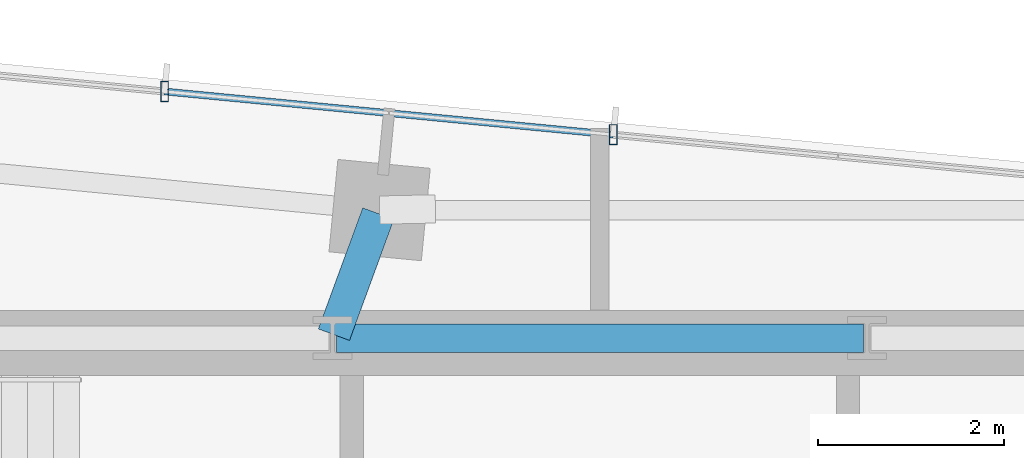
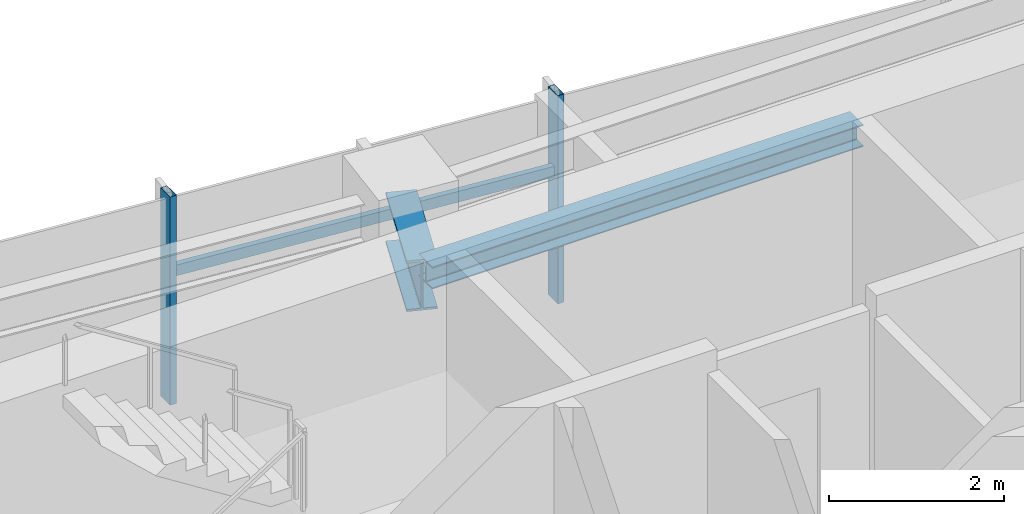
# One storey, part 8 of 20: 3 members, 2 beams, 1 element without a shape of its own.
"""IFC4 building model written with IfcOpenShell, lengths in metres."""

from ifc_helpers import new_model, si_unit, direction, frame, origin, origin_2d, place, context, subcontext, project, spatial, hollow_rectangle, i_section, extrude, source, transform, mapped, material, material_profile, profile_set, type_object, type_shapes, element, aggregate, save


model = new_model("IFC4")

# Units and contexts
model_context = context("Model", 3, precision=1e-05, world=origin(), true_north=direction((0.0, 1.0)))
body_context = subcontext(model_context, "Body", "Model", "MODEL_VIEW")
ifc_project = project(units=[si_unit("LENGTHUNIT", "METRE"), si_unit("AREAUNIT", "SQUARE_METRE"), si_unit("VOLUMEUNIT", "CUBIC_METRE"), si_unit("PLANEANGLEUNIT", "RADIAN"), si_unit("MASSUNIT", "GRAM", prefix="KILO")], contexts=[model_context])

# Site, building, storey
site_placement = place(None, origin())
site = spatial("IfcSite", under=ifc_project, at=site_placement, CompositionType="ELEMENT")
building_placement = place(site_placement, origin())
building = spatial("IfcBuilding", under=site, at=building_placement, Name="Astriad Promenade Condominiums", CompositionType="ELEMENT")
storey_placement = place(building_placement, frame((0.0, 0.0, 159.800048828125)))
storey = spatial("IfcBuildingStorey", under=building, at=storey_placement, Name="L46", CompositionType="ELEMENT", Elevation=159.800048828125)

# Beams
ifc_material_1 = material(Name="Steel ASTM A992 Grade 50", Category="steel")
ifc_material_profile_1 = material_profile(ifc_material_1, i_section(OverallWidth=0.3046875, OverallDepth=0.307861328125, WebThickness=0.010009765625, FlangeThickness=0.015380859375, FilletRadius=0.01513671875, at=origin_2d()), Name="W12X65")
ifc_profile_set_1 = profile_set([ifc_material_profile_1], Name="Steel ASTM A992 Grade 50")
beam_type_1 = type_object("IfcBeamType", Name="STEEL OPENING LINTEL W12X65", PredefinedType="LINTEL", material=ifc_profile_set_1)
shared_shape_1 = source(origin(), body_context, "Body", "SweptSolid", [
    extrude(i_section(OverallWidth=0.3046875, OverallDepth=0.307861328125, WebThickness=0.010009765625, FlangeThickness=0.015380859375, FilletRadius=0.01513671875, at=origin_2d()), origin(), (0.0, 0.0, 1.0), 5.68017578125),
])
type_shapes(beam_type_1, [shared_shape_1])
beam_1_placement = place(storey_placement, frame((33.159912109375, 24.0, 2.74609375), z_axis=(1.0, 0.0, 0.0), x_axis=(0.0, 1.0, 0.0)))
element("IfcBeam", 1, at=beam_1_placement, inside=storey, type_object=beam_type_1, Name="Core Ring Beam CG-N2-L46", PredefinedType="LINTEL", context=body_context, shape_type="MappedRepresentation", body=[
    mapped(shared_shape_1, transform((0.0, 0.0, 0.0), scale=1.0)),
])
ifc_material_profile_2 = material_profile(ifc_material_1, i_section(OverallWidth=0.35791015625, OverallDepth=0.706298828125, WebThickness=0.018310546875, FlangeThickness=0.0302734375, FilletRadius=0.020263671875, at=origin_2d()), Name="W27X178")
ifc_profile_set_2 = profile_set([ifc_material_profile_2], Name="Steel ASTM A992 Grade 50")
beam_type_2 = type_object("IfcBeamType", Name="STEEL FLOOR GIRDER W27X178", PredefinedType="BEAM", material=ifc_profile_set_2)
shared_shape_2 = source(origin(), body_context, "Body", "SweptSolid", [
    extrude(i_section(OverallWidth=0.35791015625, OverallDepth=0.706298828125, WebThickness=0.018310546875, FlangeThickness=0.0302734375, FilletRadius=0.020263671875, at=origin_2d()), origin(), (0.0, 0.0, 1.0), 1.39013671875),
])
type_shapes(beam_type_2, [shared_shape_2])
beam_2_placement = place(storey_placement, frame((33.6123046875, 25.3427734375, 2.546630859375), z_axis=(-0.344223686797, -0.938887668173, 0.0), x_axis=(0.938887668173, -0.344223686797, 0.0)))
element("IfcBeam", 2, at=beam_2_placement, inside=storey, type_object=beam_type_2, Name="Primary Floor Girder PG-NC-L46", PredefinedType="BEAM", context=body_context, shape_type="MappedRepresentation", body=[
    mapped(shared_shape_2, transform((0.0, 0.0, 0.0), scale=1.0)),
])

# Curtain wall, members
ifc_material_2 = material(Name="Anodised aluminium Black Dark Glass Unitised", Category="aluminium")
curtain_wall_type = type_object("IfcCurtainWallType", Name="CW-B34-DARK", PredefinedType="USERDEFINED", material=ifc_material_2)
curtain_wall_placement = place(storey_placement, origin())
curtain_wall = element("IfcCurtainWall", 3, at=curtain_wall_placement, inside=storey, type_object=curtain_wall_type, Name="CW-L46-N", ObjectType="UNITISED_CURTAIN_WALL", PredefinedType="USERDEFINED")
ifc_material_3 = material(Name="Anodised aluminium 6063-T6 Black", Category="aluminium")
ifc_material_profile_3 = material_profile(ifc_material_3, hollow_rectangle(XDim=0.074951171875, YDim=0.14990234375, WallThickness=0.004150390625, at=origin_2d()), Name="ALU-TRN-75X150")
ifc_profile_set_3 = profile_set([ifc_material_profile_3], Name="Anodised aluminium 6063-T6 Black")
member_type_1 = type_object("IfcMemberType", Name="TRN-ALU-TRN-75X150", PredefinedType="USERDEFINED", material=ifc_profile_set_3)
shared_shape_3 = source(origin(), body_context, "Body", "SweptSolid", [
    extrude(hollow_rectangle(XDim=0.074951171875, YDim=0.14990234375, WallThickness=0.004150390625, at=origin_2d()), origin(), (0.0, 0.0, 1.0), 4.860107421875),
])
type_shapes(member_type_1, [shared_shape_3])
member_1_placement = place(storey_placement, frame((31.30810546875, 26.658447265625, 1.7978515625), z_axis=(0.995391248663, -0.09589714326, 0.0), x_axis=(0.09589714326, 0.995391248663, 0.0)))
member_1 = element("IfcMember", 4, at=member_1_placement, type_object=member_type_1, Name="CW-L46-N-TRN-01-0", ObjectType="TRANSOM", PredefinedType="USERDEFINED", context=body_context, shape_type="MappedRepresentation", body=[
    mapped(shared_shape_3, transform((0.0, 0.0, 0.0), scale=1.0)),
])
ifc_material_profile_4 = material_profile(ifc_material_3, hollow_rectangle(XDim=0.0849609375, YDim=0.219970703125, WallThickness=0.0048828125, at=origin_2d()), Name="ALU-MUL-85X220")
ifc_profile_set_4 = profile_set([ifc_material_profile_4], Name="Anodised aluminium 6063-T6 Black")
member_type_2 = type_object("IfcMemberType", Name="MUL-ALU-MUL-85X220", PredefinedType="MULLION", material=ifc_profile_set_4)
shared_shape_4 = source(origin(), body_context, "Body", "SweptSolid", [
    extrude(hollow_rectangle(XDim=0.0849609375, YDim=0.219970703125, WallThickness=0.0048828125, at=origin_2d()), origin(), (0.0, 0.0, 1.0), 2.89990234375),
])
type_shapes(member_type_2, [shared_shape_4])
member_2_placement = place(storey_placement, frame((31.30810546875, 26.658447265625, 0.0), z_axis=(0.0, 0.0, 1.0), x_axis=(1.0, 0.0, 0.0)))
member_2 = element("IfcMember", 5, at=member_2_placement, type_object=member_type_2, Name="CW-L46-N-MUL-01", PredefinedType="MULLION", context=body_context, shape_type="MappedRepresentation", body=[
    mapped(shared_shape_4, transform((0.0, 0.0, 0.0), scale=1.0)),
])
member_3_placement = place(storey_placement, frame((36.145751953125, 26.1923828125, 0.0), z_axis=(0.0, 0.0, 1.0), x_axis=(1.0, 0.0, 0.0)))
member_3 = element("IfcMember", 6, at=member_3_placement, type_object=member_type_2, Name="CW-L46-N-MUL-02", PredefinedType="MULLION", context=body_context, shape_type="MappedRepresentation", body=[
    mapped(shared_shape_4, transform((0.0, 0.0, 0.0), scale=1.0)),
])
aggregate(curtain_wall, [member_2, member_3, member_1])

save(model, "model.ifc")
